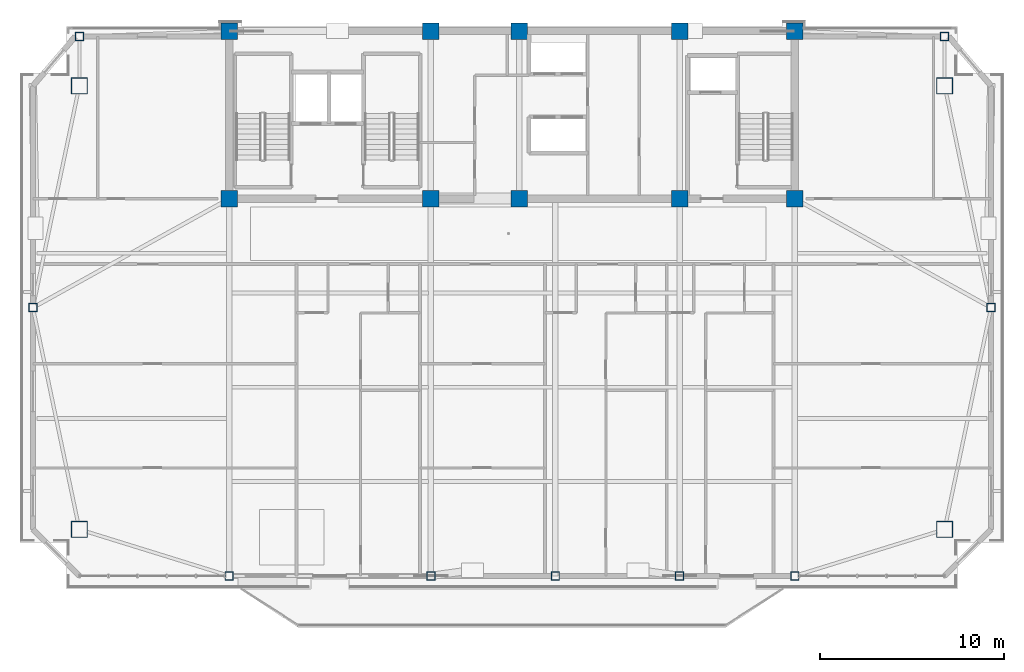
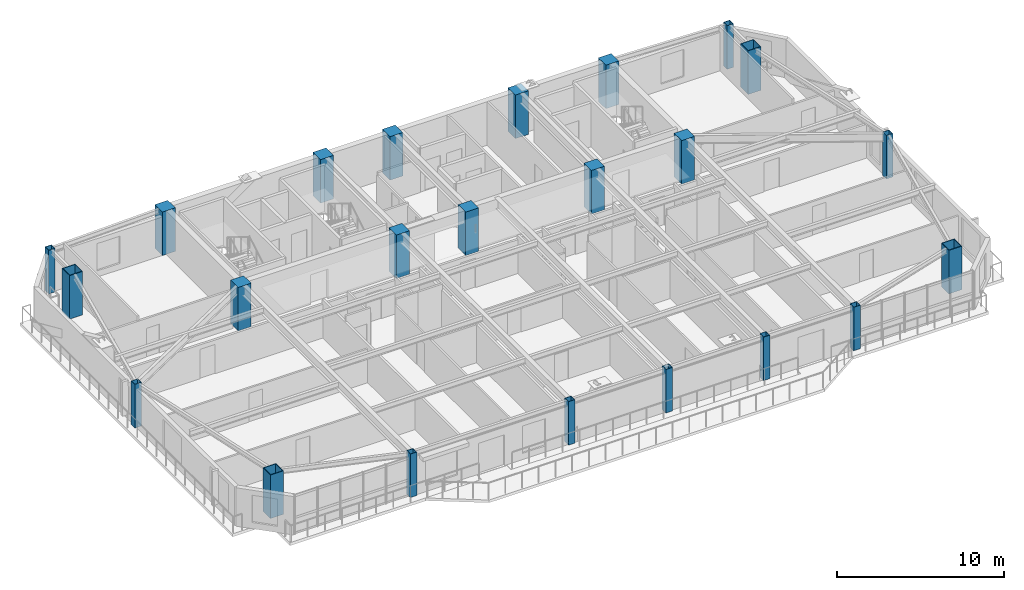
# One storey, part 1 of 17: 23 columns.
"""IFC4 building model written with IfcOpenShell, lengths in metres."""

from ifc_helpers import new_model, si_unit, direction, frame, origin, origin_2d, place, context, subcontext, project, spatial, rectangle, hollow_rectangle, extrude, source, transform, mapped, material, material_profile, profile_set, type_object, element, save


model = new_model("IFC4")

# Units and contexts
model_context = context("Model", 3, precision=1e-05, world=origin(), true_north=direction((0.0, 1.0)))
body_context = subcontext(model_context, "Body", "Model", "MODEL_VIEW")
ifc_project = project(units=[si_unit("LENGTHUNIT", "METRE"), si_unit("AREAUNIT", "SQUARE_METRE"), si_unit("VOLUMEUNIT", "CUBIC_METRE"), si_unit("PLANEANGLEUNIT", "RADIAN"), si_unit("MASSUNIT", "GRAM", prefix="KILO")], contexts=[model_context])

# Site, building, storey
site_placement = place(None, origin())
site = spatial("IfcSite", under=ifc_project, at=site_placement, CompositionType="ELEMENT")
building_placement = place(site_placement, origin())
building = spatial("IfcBuilding", under=site, at=building_placement, Name="Giltprow Tower", CompositionType="ELEMENT")
storey_placement = place(building_placement, frame((0.0, 0.0, 268.89990234375)))
storey = spatial("IfcBuildingStorey", under=building, at=storey_placement, Name="L69", CompositionType="ELEMENT", Elevation=268.89990234375)

# Columns
ifc_material_1 = material(Name="Concrete C45", Category="concrete")
ifc_material_profile_1 = material_profile(ifc_material_1, rectangle(XDim=0.89990234375, YDim=0.89990234375, at=origin_2d()), Name="RC 900x900")
ifc_profile_set_1 = profile_set([ifc_material_profile_1], Name="Concrete C45")
column_type_1 = type_object("IfcColumnType", Name="PIL-RC-900-C45", PredefinedType="PILASTER", material=ifc_profile_set_1)
shared_shape_1 = source(origin(), body_context, "Body", "SweptSolid", [
    extrude(rectangle(XDim=0.89990234375, YDim=0.89990234375, at=origin_2d()), origin(), (0.0, 0.0, 1.0), 3.18505859375),
])
for number, where, z_axis, x_axis, name in (
    (1, (19.85009765625, 37.449951171875, 0.0), (0.0, 0.0, 1.0), (1.0, 0.0, 0.0), "L69 Core Boundary Pilaster 1-1"),
    (2, (19.85009765625, 46.550048828125, 0.0), (0.0, 0.0, 1.0), (1.0, 0.0, 0.0), "L69 Core Boundary Pilaster 1-2"),
    (3, (30.800048828125, 37.449951171875, 0.0), (0.0, 0.0, 1.0), (1.0, 0.0, 0.0), "L69 Core Boundary Pilaster 2-1"),
    (4, (30.800048828125, 46.550048828125, 0.0), (0.0, 0.0, 1.0), (1.0, 0.0, 0.0), "L69 Core Boundary Pilaster 2-2"),
    (5, (35.60009765625, 37.449951171875, 0.0), (0.0, 0.0, 1.0), (1.0, 0.0, 0.0), "L69 Core Boundary Pilaster 3-1"),
    (6, (35.60009765625, 46.550048828125, 0.0), (0.0, 0.0, 1.0), (1.0, 0.0, 0.0), "L69 Core Boundary Pilaster 3-2"),
    (7, (44.300048828125, 37.449951171875, 0.0), (0.0, 0.0, 1.0), (1.0, 0.0, 0.0), "L69 Core Boundary Pilaster 4-1"),
    (8, (44.300048828125, 46.550048828125, 0.0), (0.0, 0.0, 1.0), (1.0, 0.0, 0.0), "L69 Core Boundary Pilaster 4-2"),
    (9, (50.550048828125, 37.449951171875, 0.0), (0.0, 0.0, 1.0), (1.0, 0.0, 0.0), "L69 Core Boundary Pilaster 5-1"),
    (10, (50.550048828125, 46.550048828125, 0.0), (0.0, 0.0, 1.0), (1.0, 0.0, 0.0), "L69 Core Boundary Pilaster 5-2"),
):
    element("IfcColumn", number, at=place(storey_placement, frame(where, z_axis=z_axis, x_axis=x_axis)), inside=storey, type_object=column_type_1, Name=name, PredefinedType="PILASTER", context=body_context, shape_type="MappedRepresentation", body=[
        mapped(shared_shape_1, transform((0.0, 0.0, 0.0), x_axis=(1.0, 0.0, 0.0), y_axis=(0.0, 1.0, 0.0), z_axis=(0.0, 0.0, 1.0), scale=1.0)),
    ])
ifc_material_2 = material(Name="Structural steel Q420GJC", Category="steel")
ifc_material_profile_2 = material_profile(ifc_material_2, hollow_rectangle(XDim=0.89990234375, YDim=0.89990234375, WallThickness=0.0400390625, at=origin_2d()), Name="BOX 900x900x40")
ifc_profile_set_2 = profile_set([ifc_material_profile_2], Name="Structural steel Q420GJC")
column_type_2 = type_object("IfcColumnType", Name="COL-BOX-900x900x40", PredefinedType="COLUMN", material=ifc_profile_set_2)
shared_shape_2 = source(origin(), body_context, "Body", "SweptSolid", [
    extrude(hollow_rectangle(XDim=0.89990234375, YDim=0.89990234375, WallThickness=0.0400390625, at=origin_2d()), origin(), (0.0, 0.0, 1.0), 3.18505859375),
])
for number, where, z_axis, x_axis, name in (
    (11, (11.717041015625, 19.4990234375, 0.0), (0.0, 0.0, 1.0), (1.0, 0.0, 0.0), "L69 Mega-Column MC_SW"),
    (12, (58.68408203125, 19.4990234375, 0.0), (0.0, 0.0, 1.0), (1.0, 0.0, 0.0), "L69 Mega-Column MC_SE"),
    (13, (11.717041015625, 43.576904296875, 0.0), (0.0, 0.0, 1.0), (1.0, 0.0, 0.0), "L69 Mega-Column MC_NW"),
    (14, (58.68408203125, 43.576904296875, 0.0), (0.0, 0.0, 1.0), (1.0, 0.0, 0.0), "L69 Mega-Column MC_NE"),
):
    element("IfcColumn", number, at=place(storey_placement, frame(where, z_axis=z_axis, x_axis=x_axis)), inside=storey, type_object=column_type_2, Name=name, PredefinedType="COLUMN", context=body_context, shape_type="MappedRepresentation", body=[
        mapped(shared_shape_2, transform((0.0, 0.0, 0.0), x_axis=(1.0, 0.0, 0.0), y_axis=(0.0, 1.0, 0.0), z_axis=(0.0, 0.0, 1.0), scale=1.0)),
    ])
ifc_material_3 = material(Name="Structural steel Q355B", Category="steel")
ifc_material_profile_3 = material_profile(ifc_material_3, hollow_rectangle(XDim=0.449951171875, YDim=0.449951171875, WallThickness=0.02197265625, at=origin_2d()), Name="BOX 450x450x22")
ifc_profile_set_3 = profile_set([ifc_material_profile_3], Name="Structural steel Q355B")
column_type_3 = type_object("IfcColumnType", Name="COL-BOX-450x450x22", PredefinedType="COLUMN", material=ifc_profile_set_3)
shared_shape_3 = source(origin(), body_context, "Body", "SweptSolid", [
    extrude(hollow_rectangle(XDim=0.449951171875, YDim=0.449951171875, WallThickness=0.02197265625, at=origin_2d()), origin(), (0.0, 0.0, 1.0), 3.18505859375),
])
for number, where, z_axis, x_axis, name in (
    (15, (19.85009765625, 16.97607421875, 0.0), (0.0, 0.0, 1.0), (1.0, 0.0, 0.0), "L69 Perimeter Column S1"),
    (16, (30.800048828125, 16.97607421875, 0.0), (0.0, 0.0, 1.0), (1.0, 0.0, 0.0), "L69 Perimeter Column S2"),
    (17, (37.550048828125, 16.97607421875, 0.0), (0.0, 0.0, 1.0), (1.0, 0.0, 0.0), "L69 Perimeter Column S_MID"),
    (18, (44.300048828125, 16.97607421875, 0.0), (0.0, 0.0, 1.0), (1.0, 0.0, 0.0), "L69 Perimeter Column S3"),
    (19, (50.550048828125, 16.97607421875, 0.0), (0.0, 0.0, 1.0), (1.0, 0.0, 0.0), "L69 Perimeter Column S4"),
    (20, (9.194091796875, 31.5380859375, 0.0), (0.0, 0.0, 1.0), (1.0, 0.0, 0.0), "L69 Perimeter Column W_MID"),
    (21, (61.20703125, 31.5380859375, 0.0), (0.0, 0.0, 1.0), (1.0, 0.0, 0.0), "L69 Perimeter Column E_MID"),
    (22, (11.717041015625, 46.25, 0.0), (0.0, 0.0, 1.0), (1.0, 0.0, 0.0), "L69 Perimeter Column N_W"),
    (23, (58.68408203125, 46.25, 0.0), (0.0, 0.0, 1.0), (1.0, 0.0, 0.0), "L69 Perimeter Column N_E"),
):
    element("IfcColumn", number, at=place(storey_placement, frame(where, z_axis=z_axis, x_axis=x_axis)), inside=storey, type_object=column_type_3, Name=name, PredefinedType="COLUMN", context=body_context, shape_type="MappedRepresentation", body=[
        mapped(shared_shape_3, transform((0.0, 0.0, 0.0), x_axis=(1.0, 0.0, 0.0), y_axis=(0.0, 1.0, 0.0), z_axis=(0.0, 0.0, 1.0), scale=1.0)),
    ])

save(model, "model.ifc")
